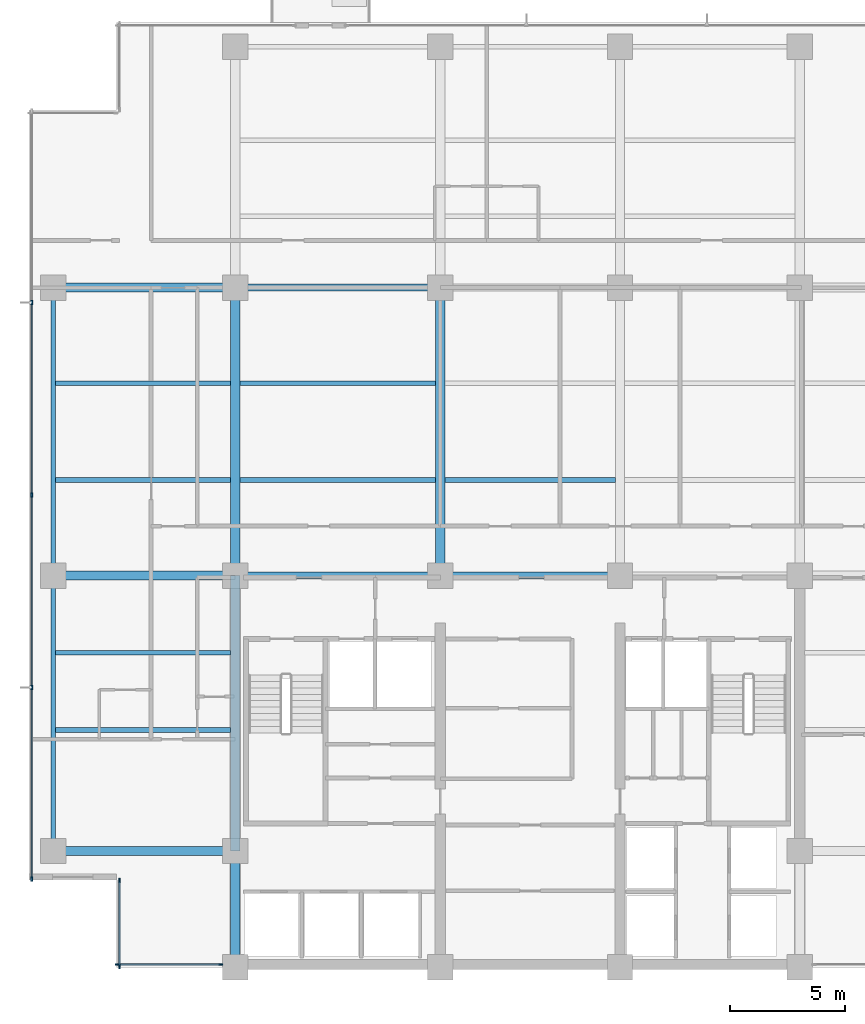
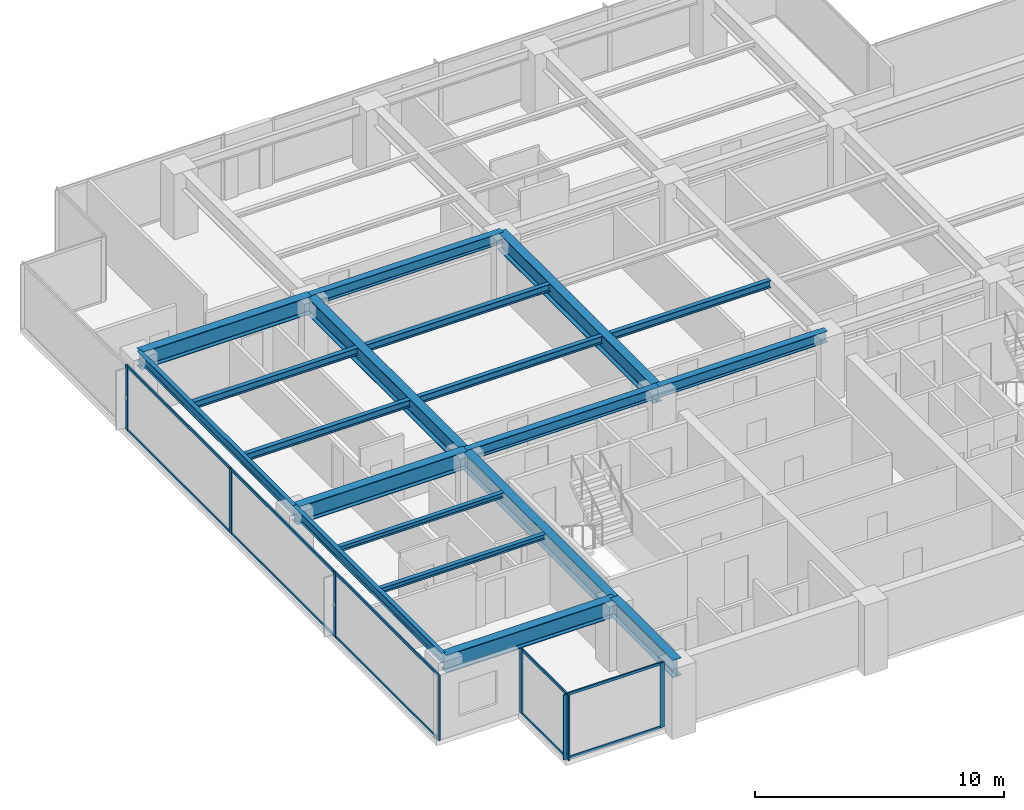
# One storey, part 2 of 14: 19 beams, 18 members, 3 elements without a shape of their own.
"""IFC4 building model written with IfcOpenShell, lengths in metres."""

from ifc_helpers import new_model, si_unit, direction, frame, origin, origin_2d, place, context, subcontext, project, spatial, rectangle, i_section, extrude, material, layer, layer_set, material_profile, profile_set, type_object, element, aggregate, save


model = new_model("IFC4")

# Units and contexts
model_context = context("Model", 3, precision=1e-05, world=origin(), true_north=direction((0.0, 1.0)))
body_context = subcontext(model_context, "Body", "Model", "MODEL_VIEW")
ifc_project = project(units=[si_unit("LENGTHUNIT", "METRE"), si_unit("AREAUNIT", "SQUARE_METRE"), si_unit("VOLUMEUNIT", "CUBIC_METRE"), si_unit("PLANEANGLEUNIT", "RADIAN"), si_unit("MASSUNIT", "GRAM", prefix="KILO")], contexts=[model_context])

# Site, building, storey
site_placement = place(None, origin())
site = spatial("IfcSite", under=ifc_project, at=site_placement, CompositionType="ELEMENT")
building_placement = place(site_placement, origin())
building = spatial("IfcBuilding", under=site, at=building_placement, Name="Qalmaran Belvedere Hotel", CompositionType="ELEMENT")
storey_placement = place(building_placement, frame((0.0, 0.0, 180.60009765625)))
storey = spatial("IfcBuildingStorey", under=building, at=storey_placement, Name="L46", CompositionType="ELEMENT", Elevation=180.60009765625)

# Beams
ifc_material_1 = material(Name="Steel S355JR", Category="steel")
ifc_material_profile_1 = material_profile(ifc_material_1, i_section(OverallWidth=0.201904296875, OverallDepth=0.2470703125, WebThickness=0.00732421875, FlangeThickness=0.010986328125, FilletRadius=0.011962890625, at=origin_2d()), Name="W250X49")
ifc_profile_set_1 = profile_set([ifc_material_profile_1], Name="Steel S355JR")
beam_type_1 = type_object("IfcBeamType", Name="BM-JST-W250X49", PredefinedType="JOIST", material=ifc_profile_set_1)
for number, where, z_axis, x_axis, name in (
    (1, (12.493896484375, 13.800048828125, 3.056396484375), (1.0, 0.0, 0.0), (0.0, 1.0, 0.0), "L46 West Wing Joist 038"),
    (2, (12.493896484375, 17.14990234375, 3.056396484375), (1.0, 0.0, 0.0), (0.0, 1.0, 0.0), "L46 West Wing Joist 040"),
):
    element("IfcBeam", number, at=place(storey_placement, frame(where, z_axis=z_axis, x_axis=x_axis)), inside=storey, type_object=beam_type_1, Name=name, PredefinedType="JOIST", context=body_context, shape_type="SweptSolid", body=[
        extrude(i_section(OverallWidth=0.201904296875, OverallDepth=0.2470703125, WebThickness=0.00732421875, FlangeThickness=0.010986328125, FilletRadius=0.011962890625, at=origin_2d()), origin(), (0.0, 0.0, 1.0), 7.608154296875),
    ])
ifc_material_profile_2 = material_profile(ifc_material_1, i_section(OverallWidth=0.39990234375, OverallDepth=0.85498046875, WebThickness=0.018310546875, FlangeThickness=0.029296875, FilletRadius=0.02392578125, at=origin_2d()), Name="W840X299")
ifc_profile_set_2 = profile_set([ifc_material_profile_2], Name="Steel S355JR")
beam_type_2 = type_object("IfcBeamType", Name="BM-PG3-W840X299", PredefinedType="USERDEFINED", material=ifc_profile_set_2)
for number, where, z_axis, x_axis, name in (
    (3, (20.300048828125, 20.5, 2.75244140625), (0.0, 1.0, 0.0), (-1.0, 0.0, 0.0), "L46 Mid-Plate N-S Girder 14"),
    (4, (29.199951171875, 20.5, 2.75244140625), (0.0, 1.0, 0.0), (-1.0, 0.0, 0.0), "L46 Mid-Plate N-S Girder 16"),
):
    element("IfcBeam", number, at=place(storey_placement, frame(where, z_axis=z_axis, x_axis=x_axis)), inside=storey, type_object=beam_type_2, Name=name, ObjectType="GIRDER", PredefinedType="USERDEFINED", context=body_context, shape_type="SweptSolid", body=[
        extrude(i_section(OverallWidth=0.39990234375, OverallDepth=0.85498046875, WebThickness=0.018310546875, FlangeThickness=0.029296875, FilletRadius=0.02392578125, at=origin_2d()), origin(), (0.0, 0.0, 1.0), 12.5),
    ])
for number, where, z_axis, x_axis, name in (
    (5, (12.39990234375, 8.550048828125, 2.75244140625), (1.0, 0.0, 0.0), (0.0, 1.0, 0.0), "L46 West Wing Girder 22"),
    (6, (12.39990234375, 20.5, 2.75244140625), (1.0, 0.0, 0.0), (0.0, 1.0, 0.0), "L46 West Wing Girder 23"),
    (7, (12.39990234375, 33.0, 2.75244140625), (1.0, 0.0, 0.0), (0.0, 1.0, 0.0), "L46 West Wing Girder 24"),
):
    element("IfcBeam", number, at=place(storey_placement, frame(where, z_axis=z_axis, x_axis=x_axis)), inside=storey, type_object=beam_type_2, Name=name, ObjectType="GIRDER", PredefinedType="USERDEFINED", context=body_context, shape_type="SweptSolid", body=[
        extrude(i_section(OverallWidth=0.39990234375, OverallDepth=0.85498046875, WebThickness=0.018310546875, FlangeThickness=0.029296875, FilletRadius=0.02392578125, at=origin_2d()), origin(), (0.0, 0.0, 1.0), 7.900146484375),
    ])
beam_1_placement = place(storey_placement, frame((20.300048828125, 3.5, 2.75244140625), z_axis=(0.0, 1.0, 0.0), x_axis=(-1.0, 0.0, 0.0)))
element("IfcBeam", 8, at=beam_1_placement, inside=storey, type_object=beam_type_2, Name="L46 West Core Edge Girder A", ObjectType="GIRDER", PredefinedType="USERDEFINED", context=body_context, shape_type="SweptSolid", body=[
    extrude(i_section(OverallWidth=0.39990234375, OverallDepth=0.85498046875, WebThickness=0.018310546875, FlangeThickness=0.029296875, FilletRadius=0.02392578125, at=origin_2d()), origin(), (0.0, 0.0, 1.0), 5.050048828125),
])
beam_2_placement = place(storey_placement, frame((20.300048828125, 8.550048828125, 2.75244140625), z_axis=(0.0, 1.0, 0.0), x_axis=(-1.0, 0.0, 0.0)))
element("IfcBeam", 9, at=beam_2_placement, inside=storey, type_object=beam_type_2, Name="L46 West Core Edge Girder B", ObjectType="GIRDER", PredefinedType="USERDEFINED", context=body_context, shape_type="SweptSolid", body=[
    extrude(i_section(OverallWidth=0.39990234375, OverallDepth=0.85498046875, WebThickness=0.018310546875, FlangeThickness=0.029296875, FilletRadius=0.02392578125, at=origin_2d()), origin(), (0.0, 0.0, 1.0), 11.949951171875),
])
ifc_material_profile_3 = material_profile(ifc_material_1, i_section(OverallWidth=0.205078125, OverallDepth=0.35400390625, WebThickness=0.009521484375, FlangeThickness=0.016845703125, FilletRadius=0.014892578125, at=origin_2d()), Name="W360X79")
ifc_profile_set_3 = profile_set([ifc_material_profile_3], Name="Steel S355JR")
beam_type_3 = type_object("IfcBeamType", Name="BM-SB3-W360X79", PredefinedType="BEAM", material=ifc_profile_set_3)
beam_3_placement = place(storey_placement, frame((12.493896484375, 24.64990234375, 3.0029296875), z_axis=(1.0, 0.0, 0.0), x_axis=(0.0, 1.0, 0.0)))
element("IfcBeam", 10, at=beam_3_placement, inside=storey, type_object=beam_type_3, Name="L46 West Secondary Beam 028", PredefinedType="BEAM", context=body_context, shape_type="SweptSolid", body=[
    extrude(i_section(OverallWidth=0.205078125, OverallDepth=0.35400390625, WebThickness=0.009521484375, FlangeThickness=0.016845703125, FilletRadius=0.014892578125, at=origin_2d()), origin(), (0.0, 0.0, 1.0), 7.608154296875),
])
beam_4_placement = place(storey_placement, frame((20.498046875, 24.64990234375, 3.0029296875), z_axis=(1.0, 0.0, 0.0), x_axis=(0.0, 1.0, 0.0)))
element("IfcBeam", 11, at=beam_4_placement, inside=storey, type_object=beam_type_3, Name="L46 Secondary Floor Beam 029", PredefinedType="BEAM", context=body_context, shape_type="SweptSolid", body=[
    extrude(i_section(OverallWidth=0.205078125, OverallDepth=0.35400390625, WebThickness=0.009521484375, FlangeThickness=0.016845703125, FilletRadius=0.014892578125, at=origin_2d()), origin(), (0.0, 0.0, 1.0), 8.50390625),
])
beam_5_placement = place(storey_placement, frame((29.39794921875, 24.64990234375, 3.0029296875), z_axis=(1.0, 0.0, 0.0), x_axis=(0.0, 1.0, 0.0)))
element("IfcBeam", 12, at=beam_5_placement, inside=storey, type_object=beam_type_3, Name="L46 Secondary Floor Beam 030", PredefinedType="BEAM", context=body_context, shape_type="SweptSolid", body=[
    extrude(i_section(OverallWidth=0.205078125, OverallDepth=0.35400390625, WebThickness=0.009521484375, FlangeThickness=0.016845703125, FilletRadius=0.014892578125, at=origin_2d()), origin(), (0.0, 0.0, 1.0), 7.404052734375),
])
beam_6_placement = place(storey_placement, frame((12.493896484375, 28.85009765625, 3.0029296875), z_axis=(1.0, 0.0, 0.0), x_axis=(0.0, 1.0, 0.0)))
element("IfcBeam", 13, at=beam_6_placement, inside=storey, type_object=beam_type_3, Name="L46 West Secondary Beam 033", PredefinedType="BEAM", context=body_context, shape_type="SweptSolid", body=[
    extrude(i_section(OverallWidth=0.205078125, OverallDepth=0.35400390625, WebThickness=0.009521484375, FlangeThickness=0.016845703125, FilletRadius=0.014892578125, at=origin_2d()), origin(), (0.0, 0.0, 1.0), 7.608154296875),
])
beam_7_placement = place(storey_placement, frame((20.498046875, 28.85009765625, 3.0029296875), z_axis=(1.0, 0.0, 0.0), x_axis=(0.0, 1.0, 0.0)))
element("IfcBeam", 14, at=beam_7_placement, inside=storey, type_object=beam_type_3, Name="L46 Secondary Floor Beam 034", PredefinedType="BEAM", context=body_context, shape_type="SweptSolid", body=[
    extrude(i_section(OverallWidth=0.205078125, OverallDepth=0.35400390625, WebThickness=0.009521484375, FlangeThickness=0.016845703125, FilletRadius=0.014892578125, at=origin_2d()), origin(), (0.0, 0.0, 1.0), 8.50390625),
])
ifc_material_profile_4 = material_profile(ifc_material_1, i_section(OverallWidth=0.19189453125, OverallDepth=0.462890625, WebThickness=0.010498046875, FlangeThickness=0.017578125, FilletRadius=0.01611328125, at=origin_2d()), Name="W460X89")
ifc_profile_set_4 = profile_set([ifc_material_profile_4], Name="Steel S355JR")
beam_type_4 = type_object("IfcBeamType", Name="BM-SP2-W460X89", PredefinedType="SPANDREL", material=ifc_profile_set_4)
beam_8_placement = place(storey_placement, frame((12.39990234375, 8.550048828125, 2.948486328125), z_axis=(0.0, 1.0, 0.0), x_axis=(-1.0, 0.0, 0.0)))
element("IfcBeam", 15, at=beam_8_placement, inside=storey, type_object=beam_type_4, Name="L46 Perimeter Spandrel 01", PredefinedType="SPANDREL", context=body_context, shape_type="SweptSolid", body=[
    extrude(i_section(OverallWidth=0.19189453125, OverallDepth=0.462890625, WebThickness=0.010498046875, FlangeThickness=0.017578125, FilletRadius=0.01611328125, at=origin_2d()), origin(), (0.0, 0.0, 1.0), 11.949951171875),
])
beam_9_placement = place(storey_placement, frame((12.39990234375, 20.5, 2.948486328125), z_axis=(0.0, 1.0, 0.0), x_axis=(-1.0, 0.0, 0.0)))
element("IfcBeam", 16, at=beam_9_placement, inside=storey, type_object=beam_type_4, Name="L46 Perimeter Spandrel 02", PredefinedType="SPANDREL", context=body_context, shape_type="SweptSolid", body=[
    extrude(i_section(OverallWidth=0.19189453125, OverallDepth=0.462890625, WebThickness=0.010498046875, FlangeThickness=0.017578125, FilletRadius=0.01611328125, at=origin_2d()), origin(), (0.0, 0.0, 1.0), 12.5),
])
ifc_material_profile_5 = material_profile(ifc_material_1, i_section(OverallWidth=0.31201171875, OverallDepth=0.54296875, WebThickness=0.0126953125, FlangeThickness=0.020263671875, FilletRadius=0.01806640625, at=origin_2d()), Name="W530X150")
ifc_profile_set_5 = profile_set([ifc_material_profile_5], Name="Steel S355JR")
beam_type_5 = type_object("IfcBeamType", Name="BM-Z3-W530X150", PredefinedType="USERDEFINED", material=ifc_profile_set_5)
beam_10_placement = place(storey_placement, frame((20.300048828125, 20.5, 2.908447265625), z_axis=(1.0, 0.0, 0.0), x_axis=(0.0, 1.0, 0.0)))
element("IfcBeam", 17, at=beam_10_placement, inside=storey, type_object=beam_type_5, Name="L46 Interior E-W Girder 08", ObjectType="GIRDER", PredefinedType="USERDEFINED", context=body_context, shape_type="SweptSolid", body=[
    extrude(i_section(OverallWidth=0.31201171875, OverallDepth=0.54296875, WebThickness=0.0126953125, FlangeThickness=0.020263671875, FilletRadius=0.01806640625, at=origin_2d()), origin(), (0.0, 0.0, 1.0), 8.89990234375),
])
beam_11_placement = place(storey_placement, frame((29.199951171875, 20.5, 2.908447265625), z_axis=(1.0, 0.0, 0.0), x_axis=(0.0, 1.0, 0.0)))
element("IfcBeam", 18, at=beam_11_placement, inside=storey, type_object=beam_type_5, Name="L46 Interior E-W Girder 09", ObjectType="GIRDER", PredefinedType="USERDEFINED", context=body_context, shape_type="SweptSolid", body=[
    extrude(i_section(OverallWidth=0.31201171875, OverallDepth=0.54296875, WebThickness=0.0126953125, FlangeThickness=0.020263671875, FilletRadius=0.01806640625, at=origin_2d()), origin(), (0.0, 0.0, 1.0), 7.800048828125),
])
beam_12_placement = place(storey_placement, frame((20.300048828125, 33.0, 2.908447265625), z_axis=(1.0, 0.0, 0.0), x_axis=(0.0, 1.0, 0.0)))
element("IfcBeam", 19, at=beam_12_placement, inside=storey, type_object=beam_type_5, Name="L46 Interior E-W Girder 11", ObjectType="GIRDER", PredefinedType="USERDEFINED", context=body_context, shape_type="SweptSolid", body=[
    extrude(i_section(OverallWidth=0.31201171875, OverallDepth=0.54296875, WebThickness=0.0126953125, FlangeThickness=0.020263671875, FilletRadius=0.01806640625, at=origin_2d()), origin(), (0.0, 0.0, 1.0), 8.89990234375),
])

# Curtain wall, members
ifc_material_2 = material(Name="Anodised Bronze Aluminium", Category="aluminium")
ifc_layer = layer(ifc_material_2, 0.195068359375, Name="Anodised Bronze Aluminium")
ifc_layer_set = layer_set([ifc_layer], Name="Anodised Bronze Aluminium")
curtain_wall_type = type_object("IfcCurtainWallType", Name="CW4-TOWER-HIGHMID", PredefinedType="NOTDEFINED", material=ifc_layer_set)
curtain_wall_1_placement = place(storey_placement, origin())
curtain_wall_1 = element("IfcCurtainWall", 20, at=curtain_wall_1_placement, inside=storey, type_object=curtain_wall_type, Name="L46 Curtain Wall CW4", PredefinedType="NOTDEFINED")
ifc_material_profile_6 = material_profile(ifc_material_2, rectangle(XDim=0.070068359375, YDim=0.18994140625, at=origin_2d()), Name="CWM70X190")
ifc_profile_set_6 = profile_set([ifc_material_profile_6], Name="Anodised Bronze Aluminium")
member_type_1 = type_object("IfcMemberType", Name="CWM-70X190", PredefinedType="MULLION", material=ifc_profile_set_6)
member_1_placement = place(storey_placement, frame((15.18505859375, 3.6201171875, 0.0), z_axis=(0.0, 0.0, 1.0), x_axis=(0.0, 1.0, 0.0)))
member_1 = element("IfcMember", 21, at=member_1_placement, type_object=member_type_1, Name="CW4 mullion 1", PredefinedType="MULLION", context=body_context, shape_type="SweptSolid", body=[
    extrude(rectangle(XDim=0.070068359375, YDim=0.18994140625, at=origin_2d()), origin(), (0.0, 0.0, 1.0), 3.179931640625),
])
member_2_placement = place(storey_placement, frame((19.675048828125, 3.6201171875, 0.0), z_axis=(0.0, 0.0, 1.0), x_axis=(0.0, 1.0, 0.0)))
member_2 = element("IfcMember", 22, at=member_2_placement, type_object=member_type_1, Name="CW4 mullion 2", PredefinedType="MULLION", context=body_context, shape_type="SweptSolid", body=[
    extrude(rectangle(XDim=0.070068359375, YDim=0.18994140625, at=origin_2d()), origin(), (0.0, 0.0, 1.0), 3.179931640625),
])

curtain_wall_2_placement = place(storey_placement, origin())
curtain_wall_2 = element("IfcCurtainWall", 23, at=curtain_wall_2_placement, inside=storey, type_object=curtain_wall_type, Name="L46 Curtain Wall CW4", PredefinedType="NOTDEFINED")
member_3_placement = place(storey_placement, frame((11.469970703125, 32.35009765625, 0.0), z_axis=(0.0, 0.0, 1.0), x_axis=(1.0, 0.0, 0.0)))
member_3 = element("IfcMember", 24, at=member_3_placement, type_object=member_type_1, Name="CW4 mullion 2", PredefinedType="MULLION", context=body_context, shape_type="SweptSolid", body=[
    extrude(rectangle(XDim=0.070068359375, YDim=0.18994140625, at=origin_2d()), origin(), (0.0, 0.0, 1.0), 3.179931640625),
])
member_4_placement = place(storey_placement, frame((11.469970703125, 24.0, 0.0), z_axis=(0.0, 0.0, 1.0), x_axis=(1.0, 0.0, 0.0)))
member_4 = element("IfcMember", 25, at=member_4_placement, type_object=member_type_1, Name="CW4 mullion 3", PredefinedType="MULLION", context=body_context, shape_type="SweptSolid", body=[
    extrude(rectangle(XDim=0.070068359375, YDim=0.18994140625, at=origin_2d()), origin(), (0.0, 0.0, 1.0), 3.179931640625),
])
member_5_placement = place(storey_placement, frame((11.469970703125, 15.64990234375, 0.0), z_axis=(0.0, 0.0, 1.0), x_axis=(1.0, 0.0, 0.0)))
member_5 = element("IfcMember", 26, at=member_5_placement, type_object=member_type_1, Name="CW4 mullion 4", PredefinedType="MULLION", context=body_context, shape_type="SweptSolid", body=[
    extrude(rectangle(XDim=0.070068359375, YDim=0.18994140625, at=origin_2d()), origin(), (0.0, 0.0, 1.0), 3.179931640625),
])
member_6_placement = place(storey_placement, frame((11.469970703125, 7.3349609375, 0.0), z_axis=(0.0, 0.0, 1.0), x_axis=(1.0, 0.0, 0.0)))
member_6 = element("IfcMember", 27, at=member_6_placement, type_object=member_type_1, Name="CW4 mullion 5", PredefinedType="MULLION", context=body_context, shape_type="SweptSolid", body=[
    extrude(rectangle(XDim=0.070068359375, YDim=0.18994140625, at=origin_2d()), origin(), (0.0, 0.0, 1.0), 3.179931640625),
])

curtain_wall_3_placement = place(storey_placement, origin())
curtain_wall_3 = element("IfcCurtainWall", 28, at=curtain_wall_3_placement, inside=storey, type_object=curtain_wall_type, Name="L46 Curtain Wall CW4", PredefinedType="NOTDEFINED")
member_7_placement = place(storey_placement, frame((15.27001953125, 7.264892578125, 0.0), z_axis=(0.0, 0.0, 1.0), x_axis=(1.0, 0.0, 0.0)))
member_7 = element("IfcMember", 29, at=member_7_placement, type_object=member_type_1, Name="CW4 mullion 1", PredefinedType="MULLION", context=body_context, shape_type="SweptSolid", body=[
    extrude(rectangle(XDim=0.070068359375, YDim=0.18994140625, at=origin_2d()), origin(), (0.0, 0.0, 1.0), 3.179931640625),
])
member_8_placement = place(storey_placement, frame((15.27001953125, 3.534912109375, 0.0), z_axis=(0.0, 0.0, 1.0), x_axis=(1.0, 0.0, 0.0)))
member_8 = element("IfcMember", 30, at=member_8_placement, type_object=member_type_1, Name="CW4 mullion 2", PredefinedType="MULLION", context=body_context, shape_type="SweptSolid", body=[
    extrude(rectangle(XDim=0.070068359375, YDim=0.18994140625, at=origin_2d()), origin(), (0.0, 0.0, 1.0), 3.179931640625),
])

# Member
ifc_material_profile_7 = material_profile(ifc_material_2, rectangle(XDim=0.06494140625, YDim=0.1298828125, at=origin_2d()), Name="CWT65X130")
ifc_profile_set_7 = profile_set([ifc_material_profile_7], Name="Anodised Bronze Aluminium")
member_type_2 = type_object("IfcMemberType", Name="CWT-65X130", PredefinedType="USERDEFINED", material=ifc_profile_set_7)
member_9_placement = place(storey_placement, frame((15.219970703125, 3.6201171875, 0.032470703125), z_axis=(1.0, 0.0, 0.0), x_axis=(0.0, 1.0, 0.0)))
member_9 = element("IfcMember", 31, at=member_9_placement, type_object=member_type_2, Name="CW4 transom 1.1", ObjectType="TRANSOM", PredefinedType="USERDEFINED", context=body_context, shape_type="SweptSolid", body=[
    extrude(rectangle(XDim=0.06494140625, YDim=0.1298828125, at=origin_2d()), origin(), (0.0, 0.0, 1.0), 4.419921875),
])

member_10_placement = place(storey_placement, frame((15.219970703125, 3.6201171875, 3.1474609375), z_axis=(1.0, 0.0, 0.0), x_axis=(0.0, 1.0, 0.0)))
member_10 = element("IfcMember", 32, at=member_10_placement, type_object=member_type_2, Name="CW4 transom 1.2", ObjectType="TRANSOM", PredefinedType="USERDEFINED", context=body_context, shape_type="SweptSolid", body=[
    extrude(rectangle(XDim=0.06494140625, YDim=0.1298828125, at=origin_2d()), origin(), (0.0, 0.0, 1.0), 4.419921875),
])

aggregate(curtain_wall_1, [member_1, member_2, member_9, member_10])

member_11_placement = place(storey_placement, frame((11.469970703125, 32.31494140625, 0.032470703125), z_axis=(0.0, -1.0, 0.0), x_axis=(1.0, 0.0, 0.0)))
member_11 = element("IfcMember", 33, at=member_11_placement, type_object=member_type_2, Name="CW4 transom 2.1", ObjectType="TRANSOM", PredefinedType="USERDEFINED", context=body_context, shape_type="SweptSolid", body=[
    extrude(rectangle(XDim=0.06494140625, YDim=0.1298828125, at=origin_2d()), origin(), (0.0, 0.0, 1.0), 8.280029296875),
])

member_12_placement = place(storey_placement, frame((11.469970703125, 32.31494140625, 3.1474609375), z_axis=(0.0, -1.0, 0.0), x_axis=(1.0, 0.0, 0.0)))
member_12 = element("IfcMember", 34, at=member_12_placement, type_object=member_type_2, Name="CW4 transom 2.2", ObjectType="TRANSOM", PredefinedType="USERDEFINED", context=body_context, shape_type="SweptSolid", body=[
    extrude(rectangle(XDim=0.06494140625, YDim=0.1298828125, at=origin_2d()), origin(), (0.0, 0.0, 1.0), 8.280029296875),
])

member_13_placement = place(storey_placement, frame((11.469970703125, 23.965087890625, 0.032470703125), z_axis=(0.0, -1.0, 0.0), x_axis=(1.0, 0.0, 0.0)))
member_13 = element("IfcMember", 35, at=member_13_placement, type_object=member_type_2, Name="CW4 transom 3.1", ObjectType="TRANSOM", PredefinedType="USERDEFINED", context=body_context, shape_type="SweptSolid", body=[
    extrude(rectangle(XDim=0.06494140625, YDim=0.1298828125, at=origin_2d()), origin(), (0.0, 0.0, 1.0), 8.280029296875),
])

member_14_placement = place(storey_placement, frame((11.469970703125, 23.965087890625, 3.1474609375), z_axis=(0.0, -1.0, 0.0), x_axis=(1.0, 0.0, 0.0)))
member_14 = element("IfcMember", 36, at=member_14_placement, type_object=member_type_2, Name="CW4 transom 3.2", ObjectType="TRANSOM", PredefinedType="USERDEFINED", context=body_context, shape_type="SweptSolid", body=[
    extrude(rectangle(XDim=0.06494140625, YDim=0.1298828125, at=origin_2d()), origin(), (0.0, 0.0, 1.0), 8.280029296875),
])

member_15_placement = place(storey_placement, frame((11.469970703125, 15.614990234375, 0.032470703125), z_axis=(0.0, -1.0, 0.0), x_axis=(1.0, 0.0, 0.0)))
member_15 = element("IfcMember", 37, at=member_15_placement, type_object=member_type_2, Name="CW4 transom 4.1", ObjectType="TRANSOM", PredefinedType="USERDEFINED", context=body_context, shape_type="SweptSolid", body=[
    extrude(rectangle(XDim=0.06494140625, YDim=0.1298828125, at=origin_2d()), origin(), (0.0, 0.0, 1.0), 8.244873046875),
])

member_16_placement = place(storey_placement, frame((11.469970703125, 15.614990234375, 3.1474609375), z_axis=(0.0, -1.0, 0.0), x_axis=(1.0, 0.0, 0.0)))
member_16 = element("IfcMember", 38, at=member_16_placement, type_object=member_type_2, Name="CW4 transom 4.2", ObjectType="TRANSOM", PredefinedType="USERDEFINED", context=body_context, shape_type="SweptSolid", body=[
    extrude(rectangle(XDim=0.06494140625, YDim=0.1298828125, at=origin_2d()), origin(), (0.0, 0.0, 1.0), 8.244873046875),
])

aggregate(curtain_wall_2, [member_3, member_4, member_5, member_6, member_11, member_12, member_13, member_14, member_15, member_16])

member_17_placement = place(storey_placement, frame((15.27001953125, 7.22998046875, 0.032470703125), z_axis=(0.0, -1.0, 0.0), x_axis=(1.0, 0.0, 0.0)))
member_17 = element("IfcMember", 39, at=member_17_placement, type_object=member_type_2, Name="CW4 transom 1.1", ObjectType="TRANSOM", PredefinedType="USERDEFINED", context=body_context, shape_type="SweptSolid", body=[
    extrude(rectangle(XDim=0.06494140625, YDim=0.1298828125, at=origin_2d()), origin(), (0.0, 0.0, 1.0), 3.659912109375),
])

member_18_placement = place(storey_placement, frame((15.27001953125, 7.22998046875, 3.1474609375), z_axis=(0.0, -1.0, 0.0), x_axis=(1.0, 0.0, 0.0)))
member_18 = element("IfcMember", 40, at=member_18_placement, type_object=member_type_2, Name="CW4 transom 1.2", ObjectType="TRANSOM", PredefinedType="USERDEFINED", context=body_context, shape_type="SweptSolid", body=[
    extrude(rectangle(XDim=0.06494140625, YDim=0.1298828125, at=origin_2d()), origin(), (0.0, 0.0, 1.0), 3.659912109375),
])

aggregate(curtain_wall_3, [member_7, member_8, member_17, member_18])

save(model, "model.ifc")
